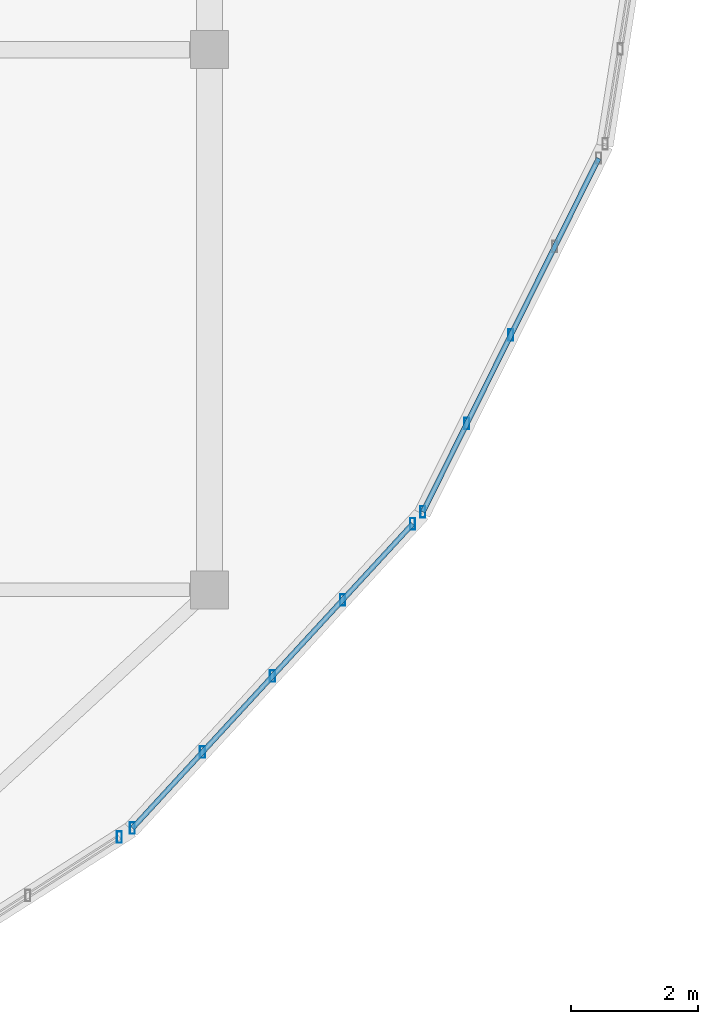
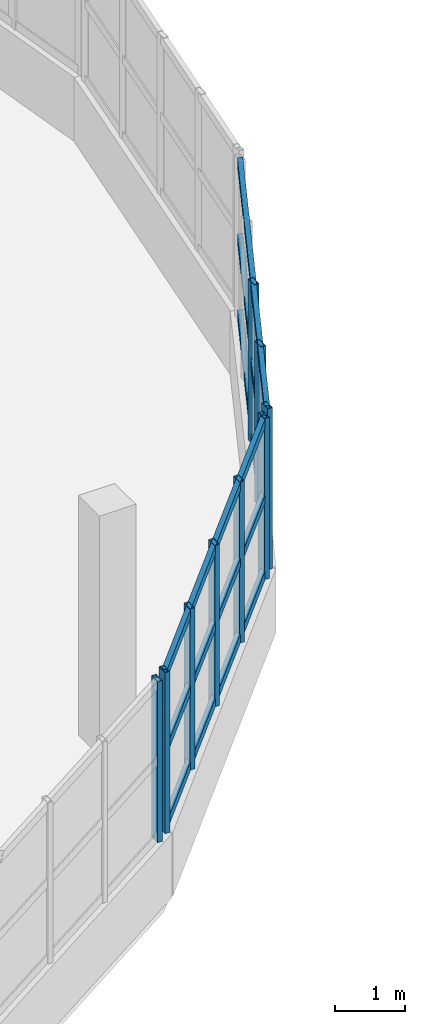
# One storey, part 21 of 52: 15 members, 3 elements without a shape of their own.
"""IFC4 building model written with IfcOpenShell, lengths in metres."""

from ifc_helpers import new_model, si_unit, direction, frame, origin, origin_2d, place, context, subcontext, project, spatial, hollow_rectangle, extrude, material, material_profile, profile_set, type_object, element, aggregate, save


model = new_model("IFC4")

# Units and contexts
model_context = context("Model", 3, precision=1e-05, world=origin(), true_north=direction((0.0, 1.0)))
body_context = subcontext(model_context, "Body", "Model", "MODEL_VIEW")
ifc_project = project(units=[si_unit("LENGTHUNIT", "METRE"), si_unit("AREAUNIT", "SQUARE_METRE"), si_unit("VOLUMEUNIT", "CUBIC_METRE"), si_unit("PLANEANGLEUNIT", "RADIAN"), si_unit("MASSUNIT", "GRAM", prefix="KILO")], contexts=[model_context])

# Site, building, storey
site_placement = place(None, origin())
site = spatial("IfcSite", under=ifc_project, at=site_placement, CompositionType="ELEMENT")
building_placement = place(site_placement, origin())
building = spatial("IfcBuilding", under=site, at=building_placement, Name="Solvento Point Concert Hall", CompositionType="ELEMENT")
storey_placement = place(building_placement, frame((0.0, 0.0, 19.5)))
storey = spatial("IfcBuildingStorey", under=building, at=storey_placement, Name="L04", CompositionType="ELEMENT", Elevation=19.5)

# Curtain wall, members
ifc_material_1 = material(Name="Anodized Bronze Aluminium", Category="aluminium")
curtain_wall_type = type_object("IfcCurtainWallType", Name="CurtainWall_RingRibbon_L03_04", PredefinedType="USERDEFINED", material=ifc_material_1)
curtain_wall_1_placement = place(storey_placement, origin())
curtain_wall_1 = element("IfcCurtainWall", 1, at=curtain_wall_1_placement, inside=storey, type_object=curtain_wall_type, Name="Unitised curtain wall CW-31 UCW-L04-226", ObjectType="UNITISED CURTAIN WALL", PredefinedType="USERDEFINED")
ifc_material_2 = material(Name="Anodized Bronze Aluminium", Category="aluminium")
ifc_material_profile_1 = material_profile(ifc_material_2, hollow_rectangle(XDim=0.080078125, YDim=0.179931640625, WallThickness=0.00390625, at=origin_2d()), Name="CW-MUL-80X180")
ifc_profile_set_1 = profile_set([ifc_material_profile_1], Name="Anodized Bronze Aluminium")
member_type_1 = type_object("IfcMemberType", Name="Mullion_80x180", PredefinedType="MULLION", material=ifc_profile_set_1)
member_1_placement = place(storey_placement, frame((87.537841796875, 21.009033203125, 1.1201171875), z_axis=(0.0, 0.0, 1.0), x_axis=(1.0, 0.0, 0.0)))
member_1 = element("IfcMember", 2, at=member_1_placement, type_object=member_type_1, Name="Curtain wall mullion ML-01", PredefinedType="MULLION", context=body_context, shape_type="SweptSolid", body=[
    extrude(hollow_rectangle(XDim=0.080078125, YDim=0.179931640625, WallThickness=0.00390625, at=origin_2d()), origin(), (0.0, 0.0, 1.0), 2.81982421875),
])
member_2_placement = place(storey_placement, frame((86.84619140625, 19.617919921875, 1.1201171875), z_axis=(0.0, 0.0, 1.0), x_axis=(1.0, 0.0, 0.0)))
member_2 = element("IfcMember", 3, at=member_2_placement, type_object=member_type_1, Name="Curtain wall mullion ML-01", PredefinedType="MULLION", context=body_context, shape_type="SweptSolid", body=[
    extrude(hollow_rectangle(XDim=0.080078125, YDim=0.179931640625, WallThickness=0.00390625, at=origin_2d()), origin(), (0.0, 0.0, 1.0), 2.81982421875),
])
member_3_placement = place(storey_placement, frame((86.15478515625, 18.226806640625, 1.1201171875), z_axis=(0.0, 0.0, 1.0), x_axis=(1.0, 0.0, 0.0)))
member_3 = element("IfcMember", 4, at=member_3_placement, type_object=member_type_1, Name="Curtain wall mullion ML-01", PredefinedType="MULLION", context=body_context, shape_type="SweptSolid", body=[
    extrude(hollow_rectangle(XDim=0.080078125, YDim=0.179931640625, WallThickness=0.00390625, at=origin_2d()), origin(), (0.0, 0.0, 1.0), 2.81982421875),
])

curtain_wall_2_placement = place(storey_placement, origin())
curtain_wall_2 = element("IfcCurtainWall", 5, at=curtain_wall_2_placement, inside=storey, type_object=curtain_wall_type, Name="Unitised curtain wall CW-31 UCW-L04-227", ObjectType="UNITISED CURTAIN WALL", PredefinedType="USERDEFINED")
member_4_placement = place(storey_placement, frame((85.992431640625, 18.0380859375, 1.1201171875), z_axis=(0.0, 0.0, 1.0), x_axis=(1.0, 0.0, 0.0)))
member_4 = element("IfcMember", 6, at=member_4_placement, type_object=member_type_1, Name="Curtain wall mullion ML-01", PredefinedType="MULLION", context=body_context, shape_type="SweptSolid", body=[
    extrude(hollow_rectangle(XDim=0.080078125, YDim=0.179931640625, WallThickness=0.00390625, at=origin_2d()), origin(), (0.0, 0.0, 1.0), 2.81982421875),
])
member_5_placement = place(storey_placement, frame((84.890625, 16.841552734375, 1.1201171875), z_axis=(0.0, 0.0, 1.0), x_axis=(1.0, 0.0, 0.0)))
member_5 = element("IfcMember", 7, at=member_5_placement, type_object=member_type_1, Name="Curtain wall mullion ML-01", PredefinedType="MULLION", context=body_context, shape_type="SweptSolid", body=[
    extrude(hollow_rectangle(XDim=0.080078125, YDim=0.179931640625, WallThickness=0.00390625, at=origin_2d()), origin(), (0.0, 0.0, 1.0), 2.81982421875),
])
member_6_placement = place(storey_placement, frame((83.788818359375, 15.644775390625, 1.1201171875), z_axis=(0.0, 0.0, 1.0), x_axis=(1.0, 0.0, 0.0)))
member_6 = element("IfcMember", 8, at=member_6_placement, type_object=member_type_1, Name="Curtain wall mullion ML-01", PredefinedType="MULLION", context=body_context, shape_type="SweptSolid", body=[
    extrude(hollow_rectangle(XDim=0.080078125, YDim=0.179931640625, WallThickness=0.00390625, at=origin_2d()), origin(), (0.0, 0.0, 1.0), 2.81982421875),
])
member_7_placement = place(storey_placement, frame((82.68701171875, 14.447998046875, 1.1201171875), z_axis=(0.0, 0.0, 1.0), x_axis=(1.0, 0.0, 0.0)))
member_7 = element("IfcMember", 9, at=member_7_placement, type_object=member_type_1, Name="Curtain wall mullion ML-01", PredefinedType="MULLION", context=body_context, shape_type="SweptSolid", body=[
    extrude(hollow_rectangle(XDim=0.080078125, YDim=0.179931640625, WallThickness=0.00390625, at=origin_2d()), origin(), (0.0, 0.0, 1.0), 2.81982421875),
])
member_8_placement = place(storey_placement, frame((81.5849609375, 13.25146484375, 1.1201171875), z_axis=(0.0, 0.0, 1.0), x_axis=(1.0, 0.0, 0.0)))
member_8 = element("IfcMember", 10, at=member_8_placement, type_object=member_type_1, Name="Curtain wall mullion ML-01", PredefinedType="MULLION", context=body_context, shape_type="SweptSolid", body=[
    extrude(hollow_rectangle(XDim=0.080078125, YDim=0.179931640625, WallThickness=0.00390625, at=origin_2d()), origin(), (0.0, 0.0, 1.0), 2.81982421875),
])

# Curtain wall, member
curtain_wall_3_placement = place(storey_placement, origin())
curtain_wall_3 = element("IfcCurtainWall", 11, at=curtain_wall_3_placement, inside=storey, type_object=curtain_wall_type, Name="Unitised curtain wall CW-31 UCW-L04-228", ObjectType="UNITISED CURTAIN WALL", PredefinedType="USERDEFINED")
member_9_placement = place(storey_placement, frame((81.37939453125, 13.11083984375, 1.1201171875), z_axis=(0.0, 0.0, 1.0), x_axis=(1.0, 0.0, 0.0)))
member_9 = element("IfcMember", 12, at=member_9_placement, type_object=member_type_1, Name="Curtain wall mullion ML-01", PredefinedType="MULLION", context=body_context, shape_type="SweptSolid", body=[
    extrude(hollow_rectangle(XDim=0.080078125, YDim=0.179931640625, WallThickness=0.00390625, at=origin_2d()), origin(), (0.0, 0.0, 1.0), 2.81982421875),
])
aggregate(curtain_wall_3, [member_9])

# Member
ifc_material_3 = material(Name="Anodized Bronze Aluminium", Category="aluminium")
ifc_material_profile_2 = material_profile(ifc_material_3, hollow_rectangle(XDim=0.080078125, YDim=0.14990234375, WallThickness=0.00390625, at=origin_2d()), Name="CW-TRN-80X150")
ifc_profile_set_2 = profile_set([ifc_material_profile_2], Name="Anodized Bronze Aluminium")
member_type_2 = type_object("IfcMemberType", Name="Transom_80x150", PredefinedType="USERDEFINED", material=ifc_profile_set_2)
member_10_placement = place(storey_placement, frame((88.9208984375, 23.791259765625, 1.199951171875), z_axis=(-0.445137963358, -0.895462000075, 0.0), x_axis=(0.895462000075, -0.445137963358, 0.0)))
member_10 = element("IfcMember", 13, at=member_10_placement, type_object=member_type_2, Name="Curtain wall transom TR-01", ObjectType="TRANSOM", PredefinedType="USERDEFINED", context=body_context, shape_type="SweptSolid", body=[
    extrude(hollow_rectangle(XDim=0.080078125, YDim=0.14990234375, WallThickness=0.00390625, at=origin_2d()), origin(), (0.0, 0.0, 1.0), 6.214111328125),
])

member_11_placement = place(storey_placement, frame((88.9208984375, 23.791259765625, 2.530029296875), z_axis=(-0.445137963358, -0.895462000075, 0.0), x_axis=(0.895462000075, -0.445137963358, 0.0)))
member_11 = element("IfcMember", 14, at=member_11_placement, type_object=member_type_2, Name="Curtain wall transom TR-01", ObjectType="TRANSOM", PredefinedType="USERDEFINED", context=body_context, shape_type="SweptSolid", body=[
    extrude(hollow_rectangle(XDim=0.080078125, YDim=0.14990234375, WallThickness=0.00390625, at=origin_2d()), origin(), (0.0, 0.0, 1.0), 6.214111328125),
])

member_12_placement = place(storey_placement, frame((88.9208984375, 23.791259765625, 3.860107421875), z_axis=(-0.445137963358, -0.895462000075, 0.0), x_axis=(0.895462000075, -0.445137963358, 0.0)))
member_12 = element("IfcMember", 15, at=member_12_placement, type_object=member_type_2, Name="Curtain wall transom TR-01", ObjectType="TRANSOM", PredefinedType="USERDEFINED", context=body_context, shape_type="SweptSolid", body=[
    extrude(hollow_rectangle(XDim=0.080078125, YDim=0.14990234375, WallThickness=0.00390625, at=origin_2d()), origin(), (0.0, 0.0, 1.0), 6.214111328125),
])

aggregate(curtain_wall_1, [member_1, member_2, member_3, member_10, member_11, member_12])

member_13_placement = place(storey_placement, frame((85.992431640625, 18.0380859375, 1.199951171875), z_axis=(-0.677371042666, -0.735641536726, 0.0), x_axis=(0.735641536726, -0.677371042666, 0.0)))
member_13 = element("IfcMember", 16, at=member_13_placement, type_object=member_type_2, Name="Curtain wall transom TR-01", ObjectType="TRANSOM", PredefinedType="USERDEFINED", context=body_context, shape_type="SweptSolid", body=[
    extrude(hollow_rectangle(XDim=0.080078125, YDim=0.14990234375, WallThickness=0.00390625, at=origin_2d()), origin(), (0.0, 0.0, 1.0), 6.5068359375),
])

member_14_placement = place(storey_placement, frame((85.992431640625, 18.0380859375, 2.530029296875), z_axis=(-0.677371042666, -0.735641536726, 0.0), x_axis=(0.735641536726, -0.677371042666, 0.0)))
member_14 = element("IfcMember", 17, at=member_14_placement, type_object=member_type_2, Name="Curtain wall transom TR-01", ObjectType="TRANSOM", PredefinedType="USERDEFINED", context=body_context, shape_type="SweptSolid", body=[
    extrude(hollow_rectangle(XDim=0.080078125, YDim=0.14990234375, WallThickness=0.00390625, at=origin_2d()), origin(), (0.0, 0.0, 1.0), 6.5068359375),
])

member_15_placement = place(storey_placement, frame((85.992431640625, 18.0380859375, 3.860107421875), z_axis=(-0.677371042666, -0.735641536726, 0.0), x_axis=(0.735641536726, -0.677371042666, 0.0)))
member_15 = element("IfcMember", 18, at=member_15_placement, type_object=member_type_2, Name="Curtain wall transom TR-01", ObjectType="TRANSOM", PredefinedType="USERDEFINED", context=body_context, shape_type="SweptSolid", body=[
    extrude(hollow_rectangle(XDim=0.080078125, YDim=0.14990234375, WallThickness=0.00390625, at=origin_2d()), origin(), (0.0, 0.0, 1.0), 6.5068359375),
])

aggregate(curtain_wall_2, [member_4, member_5, member_6, member_7, member_8, member_13, member_14, member_15])

save(model, "model.ifc")
